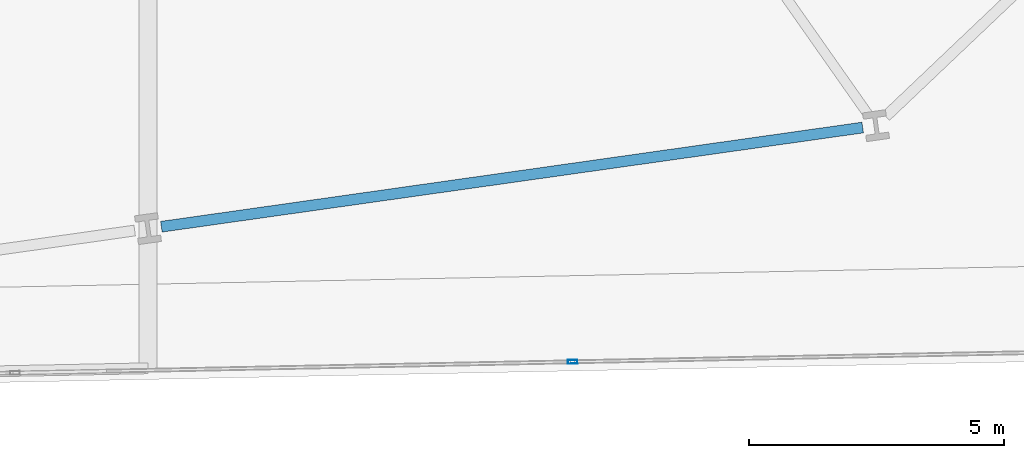
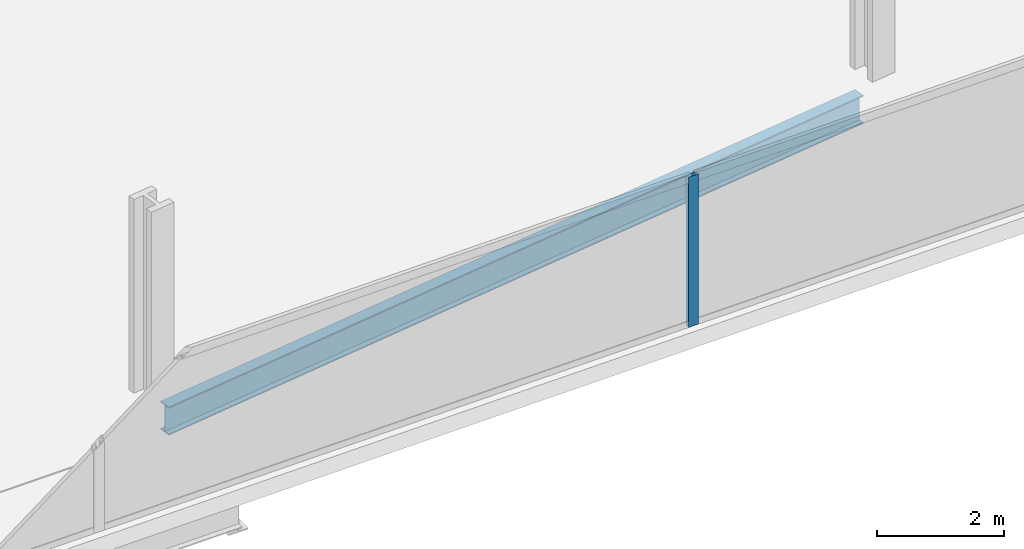
# One storey, part 10 of 35: 1 beam, 1 member, 1 element without a shape of its own.
"""IFC4 building model written with IfcOpenShell, lengths in metres."""

from ifc_helpers import new_model, si_unit, direction, frame, origin, origin_2d, place, context, subcontext, project, spatial, hollow_rectangle, i_section, extrude, material, material_profile, profile_set, type_object, element, aggregate, save


model = new_model("IFC4")

# Units and contexts
model_context = context("Model", 3, precision=1e-05, world=origin(), true_north=direction((0.0, 1.0)))
body_context = subcontext(model_context, "Body", "Model", "MODEL_VIEW")
ifc_project = project(units=[si_unit("LENGTHUNIT", "METRE"), si_unit("AREAUNIT", "SQUARE_METRE"), si_unit("VOLUMEUNIT", "CUBIC_METRE"), si_unit("PLANEANGLEUNIT", "RADIAN"), si_unit("MASSUNIT", "GRAM", prefix="KILO")], contexts=[model_context])

# Site, building, storey
site_placement = place(None, origin())
site = spatial("IfcSite", under=ifc_project, at=site_placement, CompositionType="ELEMENT")
building_placement = place(site_placement, origin())
building = spatial("IfcBuilding", under=site, at=building_placement, Name="Haldenkirk Collegiate Tower", CompositionType="ELEMENT")
storey_placement = place(building_placement, frame((0.0, 0.0, 32.699951171875)))
storey = spatial("IfcBuildingStorey", under=building, at=storey_placement, Name="L06", CompositionType="ELEMENT", Elevation=32.699951171875)

# Beam
ifc_material_1 = material(Name="Steel ASTM A992 Grade 50", Category="steel")
ifc_material_profile_1 = material_profile(ifc_material_1, i_section(OverallWidth=0.2119140625, OverallDepth=0.5439453125, WebThickness=0.01318359375, FlangeThickness=0.021240234375, at=origin_2d()), Name="W21X83")
ifc_profile_set_1 = profile_set([ifc_material_profile_1], Name="Steel ASTM A992 Grade 50")
beam_type = type_object("IfcBeamType", Name="BM-SPANDREL-W21X83", PredefinedType="SPANDREL", material=ifc_profile_set_1)
beam_placement = place(storey_placement, frame((39.37060546875, 4.055908203125, -0.58203125), z_axis=(0.990146197746, 0.14003752029, 0.0), x_axis=(-0.14003752029, 0.990146197746, 0.0)))
element("IfcBeam", 1, at=beam_placement, inside=storey, type_object=beam_type, Name="L06 perimeter spandrel beam 03", PredefinedType="SPANDREL", context=body_context, shape_type="SweptSolid", body=[
    extrude(i_section(OverallWidth=0.2119140625, OverallDepth=0.5439453125, WebThickness=0.01318359375, FlangeThickness=0.021240234375, at=origin_2d()), origin(), (0.0, 0.0, 1.0), 13.906982421875),
])

# Curtain wall, member
ifc_material_2 = material(Name="Anodised architectural bronze aluminium", Category="aluminium")
curtain_wall_type = type_object("IfcCurtainWallType", Name="CW-SYS2-CONCAVE", PredefinedType="USERDEFINED", material=ifc_material_2)
curtain_wall_placement = place(storey_placement, origin())
curtain_wall = element("IfcCurtainWall", 2, at=curtain_wall_placement, inside=storey, type_object=curtain_wall_type, Name="L06 South concave recessed bronze-anodised curtain wall", ObjectType="UNITISED CURTAIN WALL", PredefinedType="USERDEFINED")
ifc_material_profile_2 = material_profile(ifc_material_2, hollow_rectangle(XDim=0.074951171875, YDim=0.18994140625, WallThickness=0.0048828125, at=origin_2d()), Name="CW-MUL-02")
ifc_profile_set_2 = profile_set([ifc_material_profile_2], Name="Anodised architectural bronze aluminium")
member_type = type_object("IfcMemberType", Name="CW-MUL-02", PredefinedType="MULLION", material=ifc_profile_set_2)
member_placement = place(storey_placement, frame((47.446044921875, 1.40478515625, 0.0), z_axis=(0.0, 0.0, 1.0), x_axis=(0.020068437719, -0.999798608625, 0.0)))
member = element("IfcMember", 3, at=member_placement, type_object=member_type, Name="CW-02 mullion 2", PredefinedType="MULLION", context=body_context, shape_type="SweptSolid", body=[
    extrude(hollow_rectangle(XDim=0.074951171875, YDim=0.18994140625, WallThickness=0.0048828125, at=origin_2d()), origin(), (0.0, 0.0, 1.0), 2.89111328125),
])
aggregate(curtain_wall, [member])

save(model, "model.ifc")
